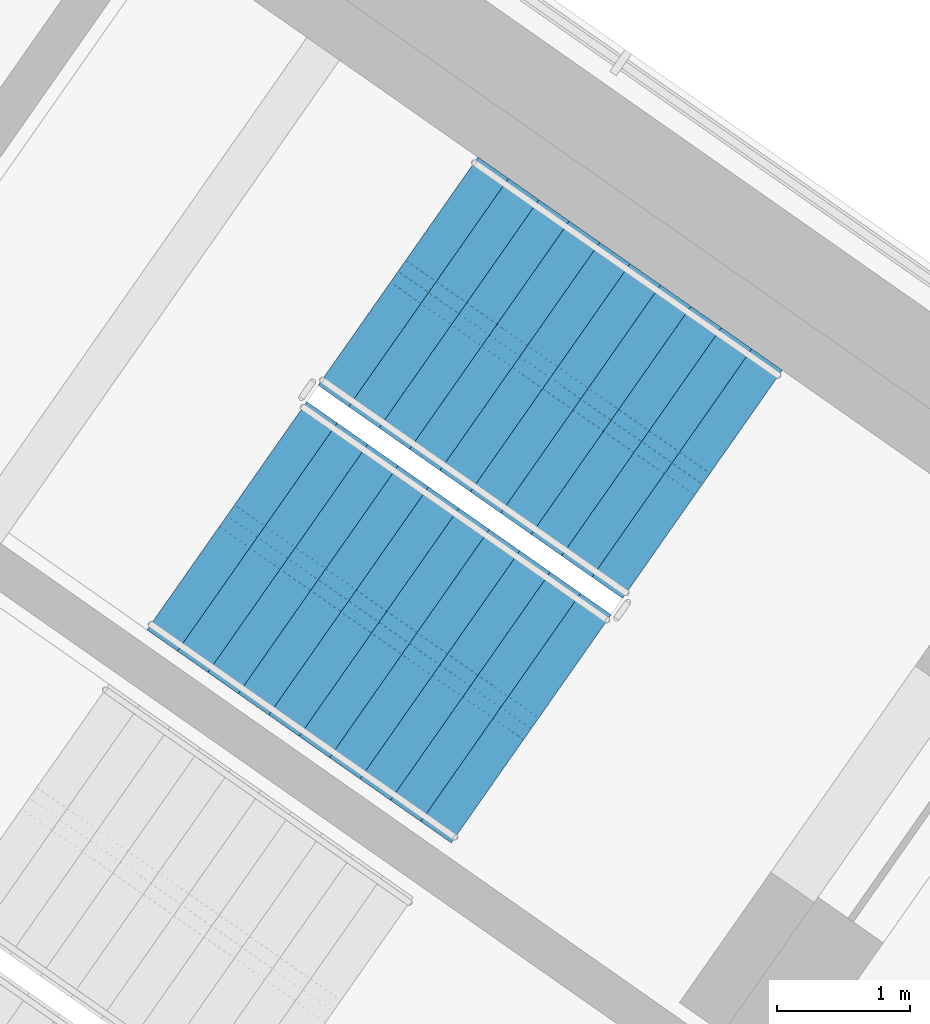
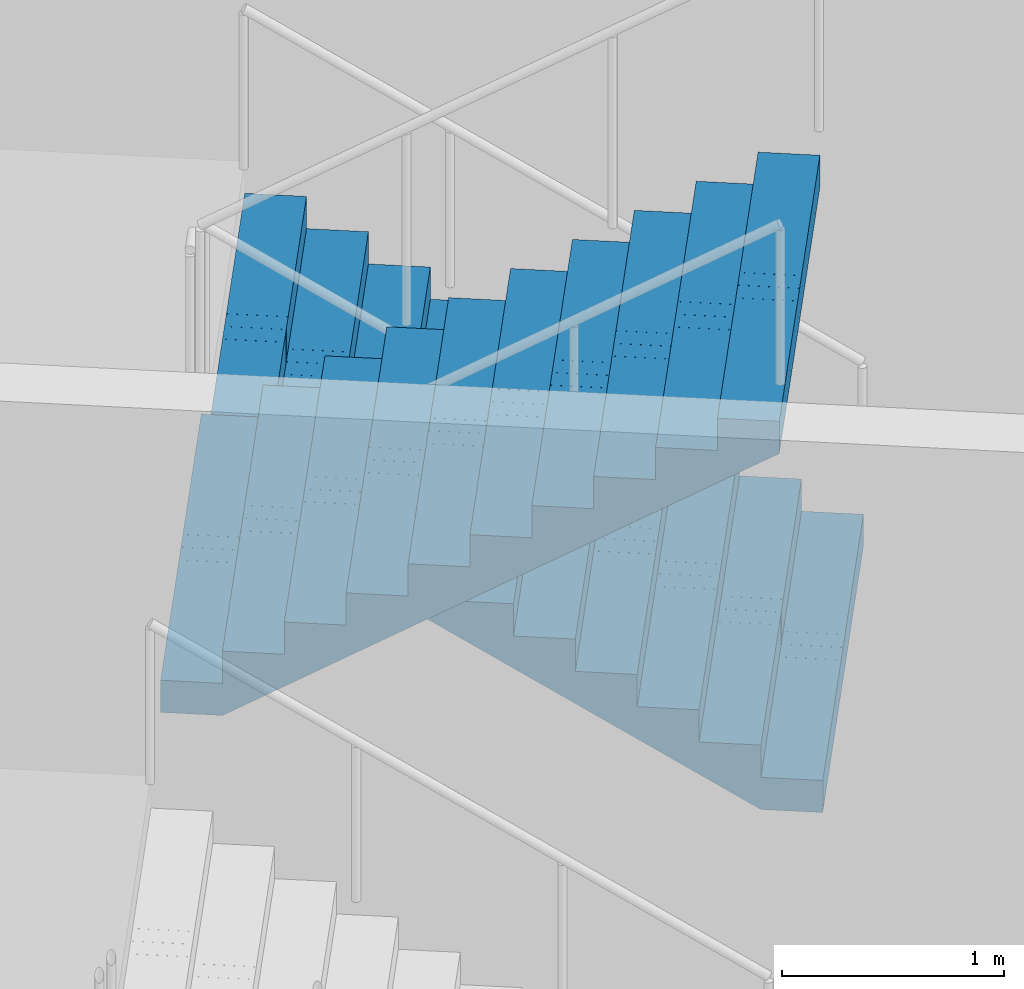
# One storey, part 13 of 18: 2 stair flights, 1 element without a shape of its own.
"""IFC4 building model written with IfcOpenShell, lengths in metres."""

from ifc_helpers import new_model, si_unit, direction, frame, origin, place, context, subcontext, project, spatial, polyline, outline, extrude, material, type_object, element, aggregate, save


model = new_model("IFC4")

# Units and contexts
model_context = context("Model", 3, precision=1e-05, world=origin(), true_north=direction((0.0, 1.0)))
body_context = subcontext(model_context, "Body", "Model", "MODEL_VIEW")
ifc_project = project(units=[si_unit("LENGTHUNIT", "METRE"), si_unit("AREAUNIT", "SQUARE_METRE"), si_unit("VOLUMEUNIT", "CUBIC_METRE"), si_unit("PLANEANGLEUNIT", "RADIAN"), si_unit("MASSUNIT", "GRAM", prefix="KILO")], contexts=[model_context])

# Site, building, storey
site_placement = place(None, origin())
site = spatial("IfcSite", under=ifc_project, at=site_placement, CompositionType="ELEMENT")
building_placement = place(site_placement, origin())
building = spatial("IfcBuilding", under=site, at=building_placement, Name="Tel Ilan Convention Tower", CompositionType="ELEMENT")
storey_placement = place(building_placement, frame((0.0, 0.0, 252.699951171875)))
storey = spatial("IfcBuildingStorey", under=building, at=storey_placement, Name="L59", CompositionType="ELEMENT", Elevation=252.699951171875)

# Stair, stair flights
ifc_material_1 = material(Name="Concrete C40/50", Category="concrete")
stair_type = type_object("IfcStairType", Name="Pressurised Exit Stair 22 risers 177 mm", PredefinedType="HALF_TURN_STAIR", material=ifc_material_1)
stair_placement = place(storey_placement, origin())
stair = element("IfcStair", 1, at=stair_placement, inside=storey, type_object=stair_type, Name="L59 Pressurised Stair S3", PredefinedType="HALF_TURN_STAIR")
ifc_material_2 = material(Name="Precast Concrete C40/50", Category="concrete")
stair_flight_type = type_object("IfcStairFlightType", Name="Concrete Stair Flight 2100 mm 22 risers 177 mm", PredefinedType="STRAIGHT", material=ifc_material_2)
stair_flight_1_placement = place(storey_placement, frame((24.25244140625, -7.032470703125, 0.0), z_axis=(0.0, 0.0, 1.0), x_axis=(-0.819152044289, 0.573576436351, 0.0)))
stair_flight_1 = element("IfcStairFlight", 2, at=stair_flight_1_placement, type_object=stair_flight_type, Name="S3 flight 1", NumberOfRisers=11, NumberOfTreads=10, PredefinedType="STRAIGHT", RiserHeight=0.177272727, TreadLength=0.28, context=body_context, shape_type="SweptSolid", body=[
    extrude(outline(polyline([(0.0, 0.0), (0.0, 0.17724609375), (0.280029296875, 0.17724609375), (0.280029296875, 0.3544921875), (0.56005859375, 0.3544921875), (0.56005859375, 0.53173828125), (0.840087890625, 0.53173828125), (0.840087890625, 0.708984375), (1.1201171875, 0.708984375), (1.1201171875, 0.886474609375), (1.39990234375, 0.886474609375), (1.39990234375, 1.063720703125), (1.679931640625, 1.063720703125), (1.679931640625, 1.240966796875), (1.9599609375, 1.240966796875), (1.9599609375, 1.418212890625), (2.239990234375, 1.418212890625), (2.239990234375, 1.595458984375), (2.52001953125, 1.595458984375), (2.52001953125, 1.772705078125), (2.800048828125, 1.772705078125), (2.800048828125, 1.949951171875), (2.800048828125, 1.59521484375), (0.2802734375, 0.0), (0.0, 0.0)])), frame((0.0, -0.100341796875, 0.0), z_axis=(0.0, -1.0, 0.0), x_axis=(1.0, 0.0, 0.0)), (0.0, 0.0, 1.0), 0.94970703125),
    extrude(outline(polyline([(0.0, 0.0), (0.0, 0.17724609375), (0.280029296875, 0.17724609375), (0.280029296875, 0.3544921875), (0.56005859375, 0.3544921875), (0.56005859375, 0.53173828125), (0.840087890625, 0.53173828125), (0.840087890625, 0.708984375), (1.1201171875, 0.708984375), (1.1201171875, 0.886474609375), (1.39990234375, 0.886474609375), (1.39990234375, 1.063720703125), (1.679931640625, 1.063720703125), (1.679931640625, 1.240966796875), (1.9599609375, 1.240966796875), (1.9599609375, 1.418212890625), (2.239990234375, 1.418212890625), (2.239990234375, 1.595458984375), (2.52001953125, 1.595458984375), (2.52001953125, 1.772705078125), (2.800048828125, 1.772705078125), (2.800048828125, 1.949951171875), (2.800048828125, 1.59521484375), (0.2802734375, 0.0), (0.0, 0.0)])), frame((0.0, -0.000244140625, 0.0), z_axis=(0.0, -1.0, 0.0), x_axis=(1.0, 0.0, 0.0)), (0.0, 0.0, 1.0), 0.099609375),
    extrude(outline(polyline([(0.0, 0.0), (0.0, 0.17724609375), (0.280029296875, 0.17724609375), (0.280029296875, 0.3544921875), (0.56005859375, 0.3544921875), (0.56005859375, 0.53173828125), (0.840087890625, 0.53173828125), (0.840087890625, 0.708984375), (1.1201171875, 0.708984375), (1.1201171875, 0.886474609375), (1.39990234375, 0.886474609375), (1.39990234375, 1.063720703125), (1.679931640625, 1.063720703125), (1.679931640625, 1.240966796875), (1.9599609375, 1.240966796875), (1.9599609375, 1.418212890625), (2.239990234375, 1.418212890625), (2.239990234375, 1.595458984375), (2.52001953125, 1.595458984375), (2.52001953125, 1.772705078125), (2.800048828125, 1.772705078125), (2.800048828125, 1.949951171875), (2.800048828125, 1.59521484375), (0.2802734375, 0.0), (0.0, 0.0)])), frame((0.0, 0.099853515625, 0.0), z_axis=(0.0, -1.0, 0.0), x_axis=(1.0, 0.0, 0.0)), (0.0, 0.0, 1.0), 0.099609375),
    extrude(outline(polyline([(0.0, 0.0), (0.0, 0.17724609375), (0.280029296875, 0.17724609375), (0.280029296875, 0.3544921875), (0.56005859375, 0.3544921875), (0.56005859375, 0.53173828125), (0.840087890625, 0.53173828125), (0.840087890625, 0.708984375), (1.1201171875, 0.708984375), (1.1201171875, 0.886474609375), (1.39990234375, 0.886474609375), (1.39990234375, 1.063720703125), (1.679931640625, 1.063720703125), (1.679931640625, 1.240966796875), (1.9599609375, 1.240966796875), (1.9599609375, 1.418212890625), (2.239990234375, 1.418212890625), (2.239990234375, 1.595458984375), (2.52001953125, 1.595458984375), (2.52001953125, 1.772705078125), (2.800048828125, 1.772705078125), (2.800048828125, 1.949951171875), (2.800048828125, 1.59521484375), (0.2802734375, 0.0), (0.0, 0.0)])), frame((0.0, 1.050048828125, 0.0), z_axis=(0.0, -1.0, 0.0), x_axis=(1.0, 0.0, 0.0)), (0.0, 0.0, 1.0), 0.94970703125),
])
stair_flight_2_placement = place(storey_placement, frame((20.668212890625, -7.26953125, 1.949951171875), z_axis=(0.0, 0.0, 1.0), x_axis=(0.819152044289, -0.573576436351, 0.0)))
stair_flight_2 = element("IfcStairFlight", 3, at=stair_flight_2_placement, type_object=stair_flight_type, Name="S3 flight 2", NumberOfRisers=11, NumberOfTreads=10, PredefinedType="STRAIGHT", RiserHeight=0.177272727, TreadLength=0.28, context=body_context, shape_type="SweptSolid", body=[
    extrude(outline(polyline([(0.0, 0.0), (0.0, 0.17724609375), (0.280029296875, 0.17724609375), (0.280029296875, 0.3544921875), (0.56005859375, 0.3544921875), (0.56005859375, 0.53173828125), (0.840087890625, 0.53173828125), (0.840087890625, 0.708984375), (1.1201171875, 0.708984375), (1.1201171875, 0.886474609375), (1.39990234375, 0.886474609375), (1.39990234375, 1.063720703125), (1.679931640625, 1.063720703125), (1.679931640625, 1.240966796875), (1.9599609375, 1.240966796875), (1.9599609375, 1.418212890625), (2.239990234375, 1.418212890625), (2.239990234375, 1.595458984375), (2.52001953125, 1.595458984375), (2.52001953125, 1.772705078125), (2.800048828125, 1.772705078125), (2.800048828125, 1.949951171875), (2.800048828125, 1.59521484375), (0.2802734375, 0.0), (0.0, 0.0)])), frame((0.0, -0.100341796875, 0.0), z_axis=(0.0, -1.0, 0.0), x_axis=(1.0, 0.0, 0.0)), (0.0, 0.0, 1.0), 0.94970703125),
    extrude(outline(polyline([(0.0, 0.0), (0.0, 0.17724609375), (0.280029296875, 0.17724609375), (0.280029296875, 0.3544921875), (0.56005859375, 0.3544921875), (0.56005859375, 0.53173828125), (0.840087890625, 0.53173828125), (0.840087890625, 0.708984375), (1.1201171875, 0.708984375), (1.1201171875, 0.886474609375), (1.39990234375, 0.886474609375), (1.39990234375, 1.063720703125), (1.679931640625, 1.063720703125), (1.679931640625, 1.240966796875), (1.9599609375, 1.240966796875), (1.9599609375, 1.418212890625), (2.239990234375, 1.418212890625), (2.239990234375, 1.595458984375), (2.52001953125, 1.595458984375), (2.52001953125, 1.772705078125), (2.800048828125, 1.772705078125), (2.800048828125, 1.949951171875), (2.800048828125, 1.59521484375), (0.2802734375, 0.0), (0.0, 0.0)])), frame((0.0, -0.000244140625, 0.0), z_axis=(0.0, -1.0, 0.0), x_axis=(1.0, 0.0, 0.0)), (0.0, 0.0, 1.0), 0.099609375),
    extrude(outline(polyline([(0.0, 0.0), (0.0, 0.17724609375), (0.280029296875, 0.17724609375), (0.280029296875, 0.3544921875), (0.56005859375, 0.3544921875), (0.56005859375, 0.53173828125), (0.840087890625, 0.53173828125), (0.840087890625, 0.708984375), (1.1201171875, 0.708984375), (1.1201171875, 0.886474609375), (1.39990234375, 0.886474609375), (1.39990234375, 1.063720703125), (1.679931640625, 1.063720703125), (1.679931640625, 1.240966796875), (1.9599609375, 1.240966796875), (1.9599609375, 1.418212890625), (2.239990234375, 1.418212890625), (2.239990234375, 1.595458984375), (2.52001953125, 1.595458984375), (2.52001953125, 1.772705078125), (2.800048828125, 1.772705078125), (2.800048828125, 1.949951171875), (2.800048828125, 1.59521484375), (0.2802734375, 0.0), (0.0, 0.0)])), frame((0.0, 0.099853515625, 0.0), z_axis=(0.0, -1.0, 0.0), x_axis=(1.0, 0.0, 0.0)), (0.0, 0.0, 1.0), 0.099609375),
    extrude(outline(polyline([(0.0, 0.0), (0.0, 0.17724609375), (0.280029296875, 0.17724609375), (0.280029296875, 0.3544921875), (0.56005859375, 0.3544921875), (0.56005859375, 0.53173828125), (0.840087890625, 0.53173828125), (0.840087890625, 0.708984375), (1.1201171875, 0.708984375), (1.1201171875, 0.886474609375), (1.39990234375, 0.886474609375), (1.39990234375, 1.063720703125), (1.679931640625, 1.063720703125), (1.679931640625, 1.240966796875), (1.9599609375, 1.240966796875), (1.9599609375, 1.418212890625), (2.239990234375, 1.418212890625), (2.239990234375, 1.595458984375), (2.52001953125, 1.595458984375), (2.52001953125, 1.772705078125), (2.800048828125, 1.772705078125), (2.800048828125, 1.949951171875), (2.800048828125, 1.59521484375), (0.2802734375, 0.0), (0.0, 0.0)])), frame((0.0, 1.050048828125, 0.0), z_axis=(0.0, -1.0, 0.0), x_axis=(1.0, 0.0, 0.0)), (0.0, 0.0, 1.0), 0.94970703125),
])
aggregate(stair, [stair_flight_1, stair_flight_2])

save(model, "model.ifc")
